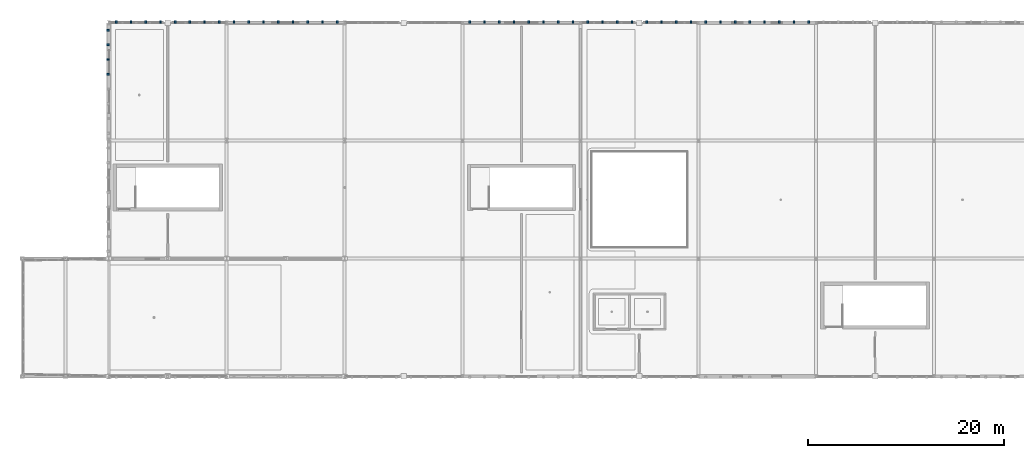
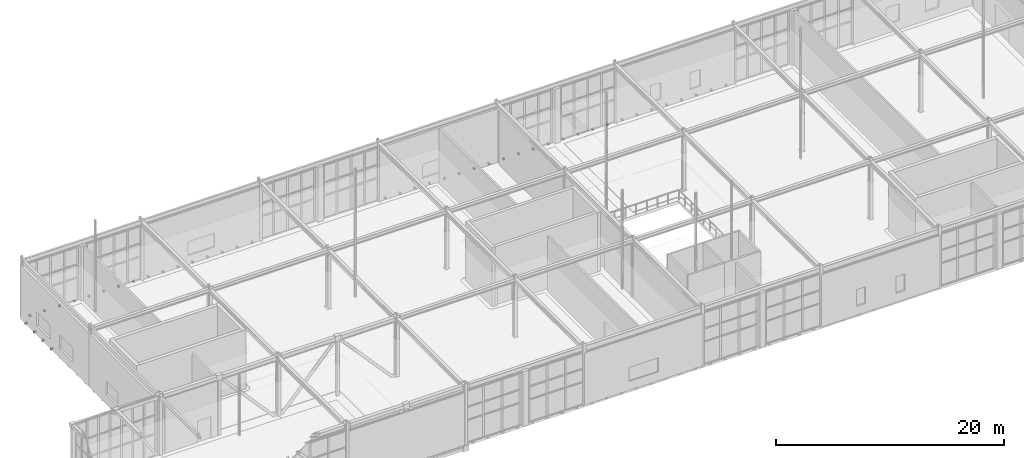
# One storey, part 51 of 62: 44 discrete accessories.
"""IFC4 building model written with IfcOpenShell, lengths in metres."""

from ifc_helpers import new_model, si_unit, direction, frame, origin, origin_2d, place, context, subcontext, project, spatial, rectangle, extrude, material, type_object, element, save


model = new_model("IFC4")

# Units and contexts
model_context = context("Model", 3, precision=1e-05, world=origin(), true_north=direction((0.0, 1.0)))
body_context = subcontext(model_context, "Body", "Model", "MODEL_VIEW")
ifc_project = project(units=[si_unit("LENGTHUNIT", "METRE"), si_unit("AREAUNIT", "SQUARE_METRE"), si_unit("VOLUMEUNIT", "CUBIC_METRE"), si_unit("PLANEANGLEUNIT", "RADIAN"), si_unit("MASSUNIT", "GRAM", prefix="KILO")], contexts=[model_context])

# Site, building, storey
site_placement = place(None, origin())
site = spatial("IfcSite", under=ifc_project, at=site_placement, CompositionType="ELEMENT")
building_placement = place(site_placement, origin())
building = spatial("IfcBuilding", under=site, at=building_placement, Name="Zlatogorsky Bluff Art Gallery", CompositionType="ELEMENT")
storey_placement = place(building_placement, frame((0.0, 0.0, 16.800048828125)))
storey = spatial("IfcBuildingStorey", under=building, at=storey_placement, Name="L03", CompositionType="ELEMENT", Elevation=16.800048828125)

# Discrete accessories
ifc_material = material(Name="Steel S355", Category="steel")
discrete_accessory_type = type_object("IfcDiscreteAccessoryType", Name="Stainless Facade Fin Bracket BRK-01", PredefinedType="BRACKET", material=ifc_material)
for number, where, z_axis, x_axis, name in (
    (1, (0.75, 120.080078125, -0.1298828125), (0.0, 0.0, 1.0), (1.0, 0.0, 0.0), "Fin slab-edge bracket N.072.L03"),
    (2, (2.25, 120.080078125, -0.1298828125), (0.0, 0.0, 1.0), (1.0, 0.0, 0.0), "Fin slab-edge bracket N.073.L03"),
    (3, (3.75, 120.080078125, -0.1298828125), (0.0, 0.0, 1.0), (1.0, 0.0, 0.0), "Fin slab-edge bracket N.074.L03"),
    (4, (5.25, 120.080078125, -0.1298828125), (0.0, 0.0, 1.0), (1.0, 0.0, 0.0), "Fin slab-edge bracket N.075.L03"),
    (5, (6.75, 120.080078125, -0.1298828125), (0.0, 0.0, 1.0), (1.0, 0.0, 0.0), "Fin slab-edge bracket N.076.L03"),
    (6, (8.25, 120.080078125, -0.1298828125), (0.0, 0.0, 1.0), (1.0, 0.0, 0.0), "Fin slab-edge bracket N.077.L03"),
    (7, (9.75, 120.080078125, -0.1298828125), (0.0, 0.0, 1.0), (1.0, 0.0, 0.0), "Fin slab-edge bracket N.078.L03"),
    (8, (11.25, 120.080078125, -0.1298828125), (0.0, 0.0, 1.0), (1.0, 0.0, 0.0), "Fin slab-edge bracket N.079.L03"),
    (9, (12.75, 120.080078125, -0.1298828125), (0.0, 0.0, 1.0), (1.0, 0.0, 0.0), "Fin slab-edge bracket N.080.L03"),
    (10, (14.25, 120.080078125, -0.1298828125), (0.0, 0.0, 1.0), (1.0, 0.0, 0.0), "Fin slab-edge bracket N.081.L03"),
    (11, (15.75, 120.080078125, -0.1298828125), (0.0, 0.0, 1.0), (1.0, 0.0, 0.0), "Fin slab-edge bracket N.082.L03"),
    (12, (17.25, 120.080078125, -0.1298828125), (0.0, 0.0, 1.0), (1.0, 0.0, 0.0), "Fin slab-edge bracket N.083.L03"),
    (13, (18.75, 120.080078125, -0.1298828125), (0.0, 0.0, 1.0), (1.0, 0.0, 0.0), "Fin slab-edge bracket N.084.L03"),
    (14, (20.25, 120.080078125, -0.1298828125), (0.0, 0.0, 1.0), (1.0, 0.0, 0.0), "Fin slab-edge bracket N.085.L03"),
    (15, (21.75, 120.080078125, -0.1298828125), (0.0, 0.0, 1.0), (1.0, 0.0, 0.0), "Fin slab-edge bracket N.086.L03"),
    (16, (23.25, 120.080078125, -0.1298828125), (0.0, 0.0, 1.0), (1.0, 0.0, 0.0), "Fin slab-edge bracket N.087.L03"),
    (17, (36.75, 120.080078125, -0.1298828125), (0.0, 0.0, 1.0), (1.0, 0.0, 0.0), "Fin slab-edge bracket N.088.L03"),
    (18, (38.25, 120.080078125, -0.1298828125), (0.0, 0.0, 1.0), (1.0, 0.0, 0.0), "Fin slab-edge bracket N.089.L03"),
    (19, (39.75, 120.080078125, -0.1298828125), (0.0, 0.0, 1.0), (1.0, 0.0, 0.0), "Fin slab-edge bracket N.090.L03"),
    (20, (41.25, 120.080078125, -0.1298828125), (0.0, 0.0, 1.0), (1.0, 0.0, 0.0), "Fin slab-edge bracket N.091.L03"),
    (21, (42.75, 120.080078125, -0.1298828125), (0.0, 0.0, 1.0), (1.0, 0.0, 0.0), "Fin slab-edge bracket N.092.L03"),
    (22, (44.25, 120.080078125, -0.1298828125), (0.0, 0.0, 1.0), (1.0, 0.0, 0.0), "Fin slab-edge bracket N.093.L03"),
    (23, (45.75, 120.080078125, -0.1298828125), (0.0, 0.0, 1.0), (1.0, 0.0, 0.0), "Fin slab-edge bracket N.094.L03"),
    (24, (47.25, 120.080078125, -0.1298828125), (0.0, 0.0, 1.0), (1.0, 0.0, 0.0), "Fin slab-edge bracket N.095.L03"),
    (25, (48.75, 120.080078125, -0.1298828125), (0.0, 0.0, 1.0), (1.0, 0.0, 0.0), "Fin slab-edge bracket N.096.L03"),
    (26, (50.25, 120.080078125, -0.1298828125), (0.0, 0.0, 1.0), (1.0, 0.0, 0.0), "Fin slab-edge bracket N.097.L03"),
    (27, (51.75, 120.080078125, -0.1298828125), (0.0, 0.0, 1.0), (1.0, 0.0, 0.0), "Fin slab-edge bracket N.098.L03"),
    (28, (53.25, 120.080078125, -0.1298828125), (0.0, 0.0, 1.0), (1.0, 0.0, 0.0), "Fin slab-edge bracket N.099.L03"),
    (29, (54.75, 120.080078125, -0.1298828125), (0.0, 0.0, 1.0), (1.0, 0.0, 0.0), "Fin slab-edge bracket N.100.L03"),
    (30, (56.25, 120.080078125, -0.1298828125), (0.0, 0.0, 1.0), (1.0, 0.0, 0.0), "Fin slab-edge bracket N.101.L03"),
    (31, (57.75, 120.080078125, -0.1298828125), (0.0, 0.0, 1.0), (1.0, 0.0, 0.0), "Fin slab-edge bracket N.102.L03"),
    (32, (59.25, 120.080078125, -0.1298828125), (0.0, 0.0, 1.0), (1.0, 0.0, 0.0), "Fin slab-edge bracket N.103.L03"),
    (33, (60.75, 120.080078125, -0.1298828125), (0.0, 0.0, 1.0), (1.0, 0.0, 0.0), "Fin slab-edge bracket N.104.L03"),
    (34, (62.25, 120.080078125, -0.1298828125), (0.0, 0.0, 1.0), (1.0, 0.0, 0.0), "Fin slab-edge bracket N.105.L03"),
    (35, (63.75, 120.080078125, -0.1298828125), (0.0, 0.0, 1.0), (1.0, 0.0, 0.0), "Fin slab-edge bracket N.106.L03"),
    (36, (65.25, 120.080078125, -0.1298828125), (0.0, 0.0, 1.0), (1.0, 0.0, 0.0), "Fin slab-edge bracket N.107.L03"),
    (37, (66.75, 120.080078125, -0.1298828125), (0.0, 0.0, 1.0), (1.0, 0.0, 0.0), "Fin slab-edge bracket N.108.L03"),
    (38, (68.25, 120.080078125, -0.1298828125), (0.0, 0.0, 1.0), (1.0, 0.0, 0.0), "Fin slab-edge bracket N.109.L03"),
    (39, (69.75, 120.080078125, -0.1298828125), (0.0, 0.0, 1.0), (1.0, 0.0, 0.0), "Fin slab-edge bracket N.110.L03"),
    (40, (71.25, 120.080078125, -0.1298828125), (0.0, 0.0, 1.0), (1.0, 0.0, 0.0), "Fin slab-edge bracket N.111.L03"),
):
    element("IfcDiscreteAccessory", number, at=place(storey_placement, frame(where, z_axis=z_axis, x_axis=x_axis)), inside=storey, type_object=discrete_accessory_type, Name=name, PredefinedType="BRACKET", context=body_context, shape_type="SweptSolid", body=[
        extrude(rectangle(XDim=0.179931640625, YDim=0.239990234375, at=origin_2d()), origin(), (0.0, 0.0, 1.0), 0.179931640625),
    ])
for number, where, z_axis, x_axis, name in (
    (41, (-0.080078125, 114.75, -0.1298828125), (0.0, 0.0, 1.0), (1.0, 0.0, 0.0), "Fin slab-edge bracket W.156.L03"),
    (42, (-0.080078125, 116.25, -0.1298828125), (0.0, 0.0, 1.0), (1.0, 0.0, 0.0), "Fin slab-edge bracket W.157.L03"),
    (43, (-0.080078125, 117.75, -0.1298828125), (0.0, 0.0, 1.0), (1.0, 0.0, 0.0), "Fin slab-edge bracket W.158.L03"),
    (44, (-0.080078125, 119.25, -0.1298828125), (0.0, 0.0, 1.0), (1.0, 0.0, 0.0), "Fin slab-edge bracket W.159.L03"),
):
    element("IfcDiscreteAccessory", number, at=place(storey_placement, frame(where, z_axis=z_axis, x_axis=x_axis)), inside=storey, type_object=discrete_accessory_type, Name=name, PredefinedType="BRACKET", context=body_context, shape_type="SweptSolid", body=[
        extrude(rectangle(XDim=0.239990234375, YDim=0.179931640625, at=origin_2d()), origin(), (0.0, 0.0, 1.0), 0.179931640625),
    ])

save(model, "model.ifc")
